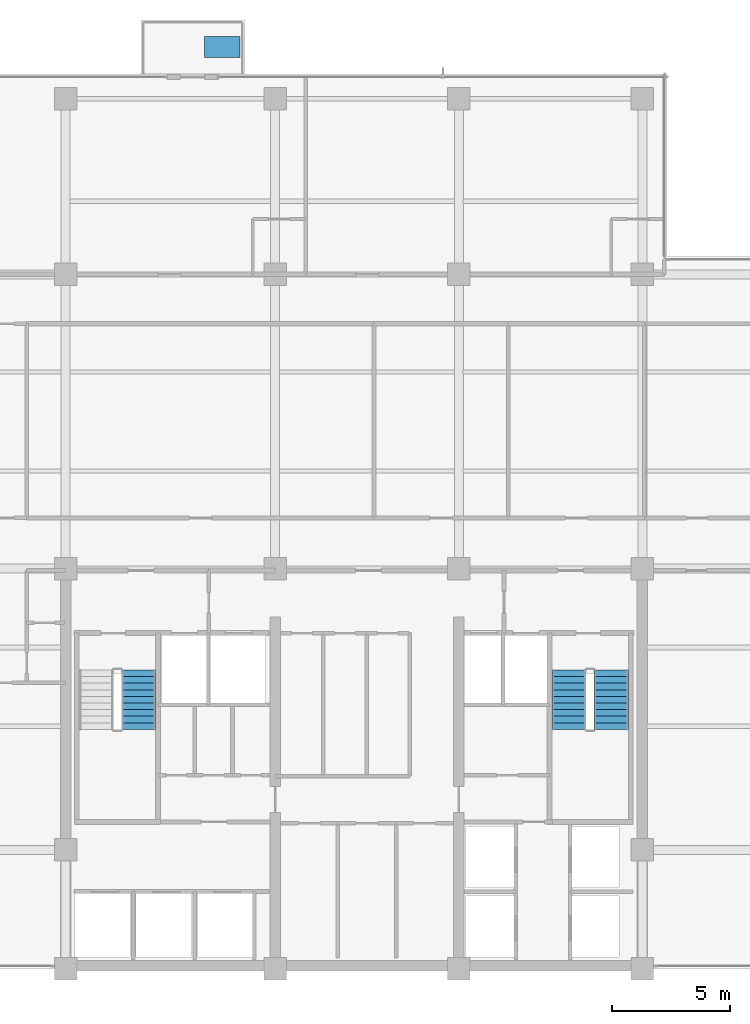
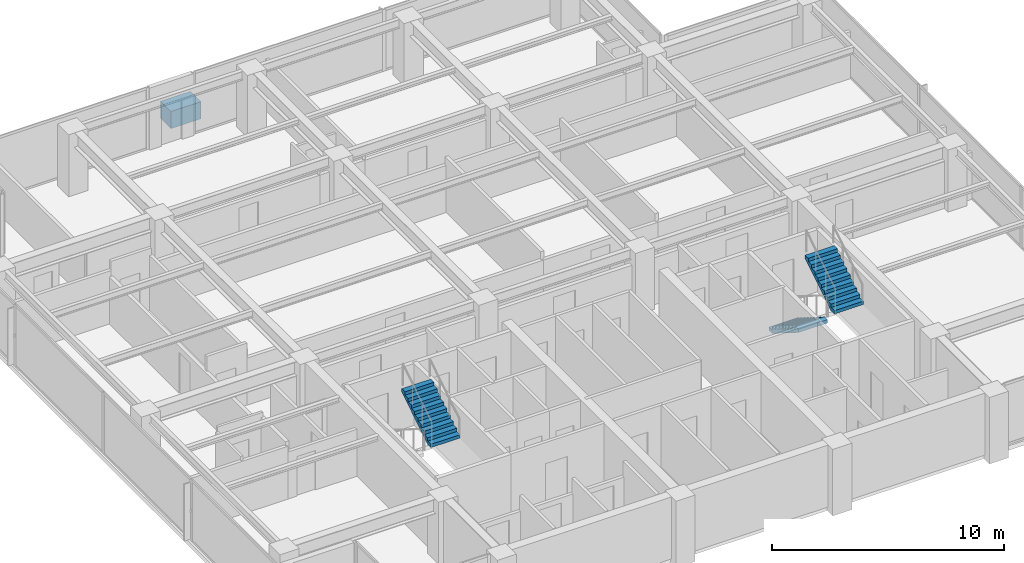
# One storey, part 10 of 14: 3 stair flights, 1 discrete accessory, 2 elements without a shape of their own.
"""IFC4 building model written with IfcOpenShell, lengths in metres."""

from ifc_helpers import new_model, si_unit, direction, frame, origin, place, context, subcontext, project, spatial, polyline, outline, extrude, material, layer, layer_set, type_object, element, aggregate, save


model = new_model("IFC4")

# Units and contexts
model_context = context("Model", 3, precision=1e-05, world=origin(), true_north=direction((0.0, 1.0)))
body_context = subcontext(model_context, "Body", "Model", "MODEL_VIEW")
ifc_project = project(units=[si_unit("LENGTHUNIT", "METRE"), si_unit("AREAUNIT", "SQUARE_METRE"), si_unit("VOLUMEUNIT", "CUBIC_METRE"), si_unit("PLANEANGLEUNIT", "RADIAN"), si_unit("MASSUNIT", "GRAM", prefix="KILO")], contexts=[model_context])

# Site, building, storey
site_placement = place(None, origin())
site = spatial("IfcSite", under=ifc_project, at=site_placement, CompositionType="ELEMENT")
building_placement = place(site_placement, origin())
building = spatial("IfcBuilding", under=site, at=building_placement, Name="Qalmaran Belvedere Hotel", CompositionType="ELEMENT")
storey_placement = place(building_placement, frame((0.0, 0.0, 224.89990234375)))
storey = spatial("IfcBuildingStorey", under=building, at=storey_placement, Name="L57", CompositionType="ELEMENT", Elevation=224.89990234375)

# Stair, stair flight
ifc_material = material(Name="Concrete C40/50", Category="concrete")
stair_type_1 = type_object("IfcStairType", Name="STR-ST-1-1450-R1750", PredefinedType="HALF_TURN_STAIR", material=ifc_material)
stair_1_placement = place(storey_placement, origin())
stair_1 = element("IfcStair", 1, at=stair_1_placement, inside=storey, type_object=stair_type_1, Name="L57 West Core Exit Stair ST-1", PredefinedType="HALF_TURN_STAIR")
ifc_layer_1 = layer(ifc_material, 0.14990234375, Name="Concrete C40/50")
ifc_layer_set_1 = layer_set([ifc_layer_1], Name="Concrete C40/50")
stair_flight_type_1 = type_object("IfcStairFlightType", Name="STF-ST-1-1450-R1750", PredefinedType="STRAIGHT", material=ifc_layer_set_1)
stair_flight_1_placement = place(storey_placement, frame((23.39501953125, 13.669921875, 1.75), z_axis=(0.0, 0.0, 1.0), x_axis=(0.0, 1.0, 0.0)))
stair_flight_1 = element("IfcStairFlight", 2, at=stair_flight_1_placement, type_object=stair_flight_type_1, Name="ST-1 flight 2", NumberOfRisers=10, NumberOfTreads=9, PredefinedType="STRAIGHT", RiserHeight=0.175, TreadLength=0.28, context=body_context, shape_type="SweptSolid", body=[
    extrude(outline(polyline([(0.0, 0.0), (0.0, 0.175048828125), (0.280029296875, 0.175048828125), (0.280029296875, 0.35009765625), (0.56005859375, 0.35009765625), (0.56005859375, 0.52490234375), (0.840087890625, 0.52490234375), (0.840087890625, 0.699951171875), (1.1201171875, 0.699951171875), (1.1201171875, 0.875), (1.39990234375, 0.875), (1.39990234375, 1.050048828125), (1.679931640625, 1.050048828125), (1.679931640625, 1.22509765625), (1.9599609375, 1.22509765625), (1.9599609375, 1.39990234375), (2.239990234375, 1.39990234375), (2.239990234375, 1.574951171875), (2.52001953125, 1.574951171875), (2.52001953125, 1.75), (2.52001953125, 1.398193359375), (0.28271484375, 0.0), (0.0, 0.0)])), frame((0.0, 0.72509765625, 0.0), z_axis=(0.0, -1.0, 0.0), x_axis=(1.0, 0.0, 0.0)), (0.0, 0.0, 1.0), 1.449951171875),
])
aggregate(stair_1, [stair_flight_1])

# Stair, stair flights
stair_type_2 = type_object("IfcStairType", Name="STR-ST-2-1450-R1750", PredefinedType="HALF_TURN_STAIR", material=ifc_material)
stair_2_placement = place(storey_placement, origin())
stair_2 = element("IfcStair", 3, at=stair_2_placement, inside=storey, type_object=stair_type_2, Name="L57 East Core Exit Stair ST-2", PredefinedType="HALF_TURN_STAIR")
ifc_layer_2 = layer(ifc_material, 0.14990234375, Name="Concrete C40/50")
ifc_layer_set_2 = layer_set([ifc_layer_2], Name="Concrete C40/50")
stair_flight_type_2 = type_object("IfcStairFlightType", Name="STF-ST-2-1450-R1750", PredefinedType="STRAIGHT", material=ifc_layer_set_2)
stair_flight_2_placement = place(storey_placement, frame((41.68505859375, 16.18994140625, 0.0), z_axis=(0.0, 0.0, 1.0), x_axis=(0.0, -1.0, 0.0)))
stair_flight_2 = element("IfcStairFlight", 4, at=stair_flight_2_placement, type_object=stair_flight_type_2, Name="ST-2 flight 1", NumberOfRisers=10, NumberOfTreads=9, PredefinedType="STRAIGHT", RiserHeight=0.175, TreadLength=0.28, context=body_context, shape_type="SweptSolid", body=[
    extrude(outline(polyline([(0.0, 0.0), (0.0, 0.175048828125), (0.280029296875, 0.175048828125), (0.280029296875, 0.35009765625), (0.56005859375, 0.35009765625), (0.56005859375, 0.52490234375), (0.840087890625, 0.52490234375), (0.840087890625, 0.699951171875), (1.1201171875, 0.699951171875), (1.1201171875, 0.875), (1.39990234375, 0.875), (1.39990234375, 1.050048828125), (1.679931640625, 1.050048828125), (1.679931640625, 1.22509765625), (1.9599609375, 1.22509765625), (1.9599609375, 1.39990234375), (2.239990234375, 1.39990234375), (2.239990234375, 1.574951171875), (2.52001953125, 1.574951171875), (2.52001953125, 1.75), (2.52001953125, 1.398193359375), (0.28271484375, 0.0), (0.0, 0.0)])), frame((0.0, 0.72509765625, 0.0), z_axis=(0.0, -1.0, 0.0), x_axis=(1.0, 0.0, 0.0)), (0.0, 0.0, 1.0), 1.449951171875),
])
stair_flight_3_placement = place(storey_placement, frame((43.47509765625, 13.669921875, 1.75), z_axis=(0.0, 0.0, 1.0), x_axis=(0.0, 1.0, 0.0)))
stair_flight_3 = element("IfcStairFlight", 5, at=stair_flight_3_placement, type_object=stair_flight_type_2, Name="ST-2 flight 2", NumberOfRisers=10, NumberOfTreads=9, PredefinedType="STRAIGHT", RiserHeight=0.175, TreadLength=0.28, context=body_context, shape_type="SweptSolid", body=[
    extrude(outline(polyline([(0.0, 0.0), (0.0, 0.175048828125), (0.280029296875, 0.175048828125), (0.280029296875, 0.35009765625), (0.56005859375, 0.35009765625), (0.56005859375, 0.52490234375), (0.840087890625, 0.52490234375), (0.840087890625, 0.699951171875), (1.1201171875, 0.699951171875), (1.1201171875, 0.875), (1.39990234375, 0.875), (1.39990234375, 1.050048828125), (1.679931640625, 1.050048828125), (1.679931640625, 1.22509765625), (1.9599609375, 1.22509765625), (1.9599609375, 1.39990234375), (2.239990234375, 1.39990234375), (2.239990234375, 1.574951171875), (2.52001953125, 1.574951171875), (2.52001953125, 1.75), (2.52001953125, 1.398193359375), (0.28271484375, 0.0), (0.0, 0.0)])), frame((0.0, 0.72509765625, 0.0), z_axis=(0.0, -1.0, 0.0), x_axis=(1.0, 0.0, 0.0)), (0.0, 0.0, 1.0), 1.449951171875),
])
aggregate(stair_2, [stair_flight_2, stair_flight_3])

# Discrete accessory
discrete_accessory_type = type_object("IfcDiscreteAccessoryType", Name="PLN-BAL-1500", PredefinedType="USERDEFINED", material=ifc_material)
discrete_accessory_placement = place(storey_placement, origin())
element("IfcDiscreteAccessory", 6, at=discrete_accessory_placement, inside=storey, type_object=discrete_accessory_type, Name="L57 Sky Tree Planter", ObjectType="PLANTER", PredefinedType="USERDEFINED", context=body_context, shape_type="SweptSolid", body=[
    extrude(outline(polyline([(26.199951171875, 42.199951171875), (27.699951171875, 42.199951171875), (27.699951171875, 43.10009765625), (26.199951171875, 43.10009765625), (26.199951171875, 42.199951171875)])), origin(), (0.0, 0.0, 1.0), 0.900146484375),
])

save(model, "model.ifc")
